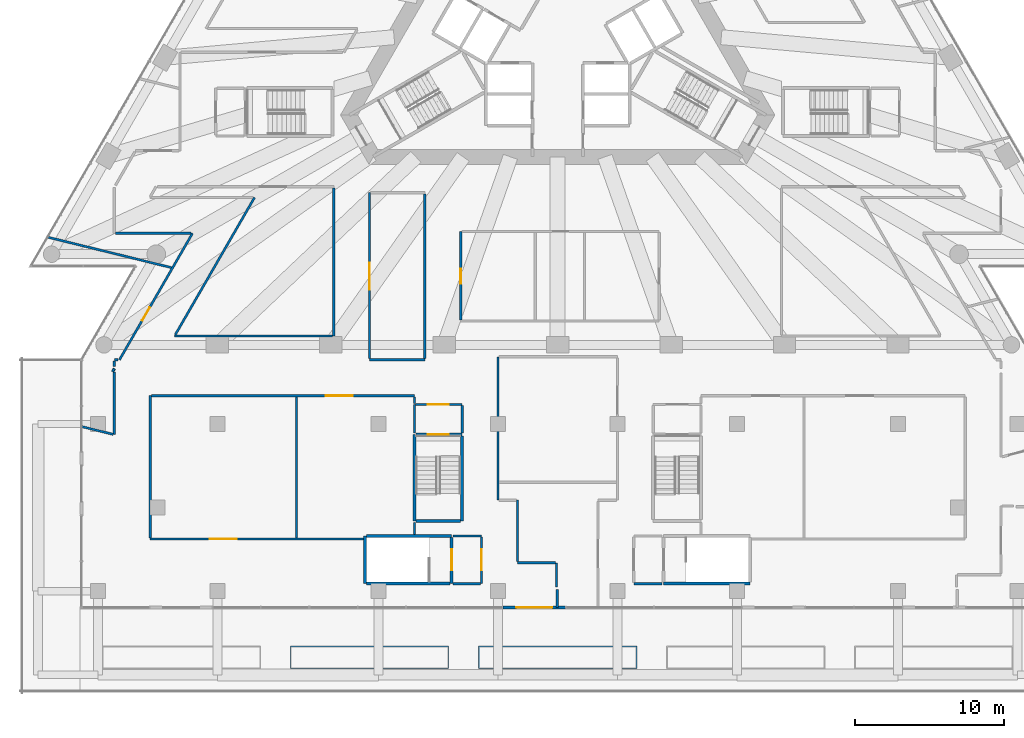
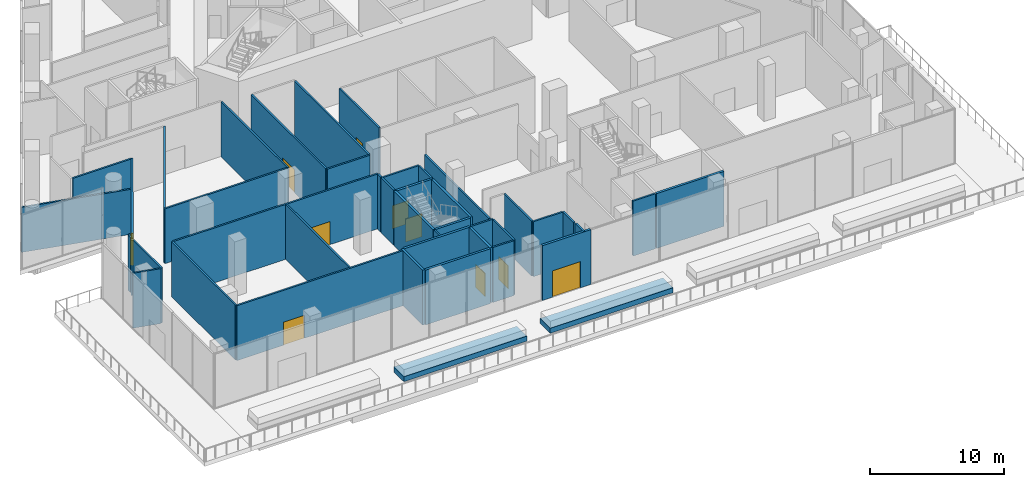
# One storey, part 21 of 32: 45 walls, 10 doors, 10 openings.
"""IFC4 building model written with IfcOpenShell, lengths in metres."""

from ifc_helpers import new_model, si_unit, direction, frame, frame_2d, origin, place, context, subcontext, project, spatial, rectangle, extrude, material, layer, layer_set, layer_usage, type_object, element, fill, save


model = new_model("IFC4")

# Units and contexts
model_context = context("Model", 3, precision=1e-05, world=origin(), true_north=direction((0.0, 1.0)))
body_context = subcontext(model_context, "Body", "Model", "MODEL_VIEW")
ifc_project = project(units=[si_unit("LENGTHUNIT", "METRE"), si_unit("AREAUNIT", "SQUARE_METRE"), si_unit("VOLUMEUNIT", "CUBIC_METRE"), si_unit("PLANEANGLEUNIT", "RADIAN"), si_unit("MASSUNIT", "GRAM", prefix="KILO")], contexts=[model_context])

# Site, building, storey
site_placement = place(None, origin())
site = spatial("IfcSite", under=ifc_project, at=site_placement, CompositionType="ELEMENT")
building_placement = place(site_placement, origin())
building = spatial("IfcBuilding", under=site, at=building_placement, Name="Triada Interchange Tower", CompositionType="ELEMENT")
storey_placement = place(building_placement, frame((0.0, 0.0, 14.5)))
storey = spatial("IfcBuildingStorey", under=building, at=storey_placement, Name="L02", CompositionType="ELEMENT", Elevation=14.5)

# Walls
ifc_material_1 = material(Name="Concrete C30/37", Category="concrete")
ifc_layer_1 = layer(ifc_material_1, 0.199951171875)
ifc_layer_set_1 = layer_set([ifc_layer_1], Name="CORE WALL 200 REI 240")
wall_type_1 = type_object("IfcWallType", Name="CORE WALL 200 REI 240", PredefinedType="SOLIDWALL", material=ifc_layer_set_1)
wall_1_placement = place(storey_placement, frame((-12.89990234375, -37.60009765625, 0.0), z_axis=(0.0, 0.0, 1.0), x_axis=(0.0, 1.0, 0.0)))
element("IfcWall", 1, at=wall_1_placement, inside=storey, type_object=wall_type_1, Name="Wall L02 197", PredefinedType="SOLIDWALL", context=body_context, shape_type="SweptSolid", body=[
    extrude(rectangle(XDim=3.2001953125, YDim=0.199951171875, at=frame_2d((1.60009765625, 0.0))), origin(), (0.0, 0.0, 1.0), 5.0),
])
wall_2_placement = place(storey_placement, frame((-12.800048828125, -34.39990234375, 0.0), z_axis=(0.0, 0.0, 1.0), x_axis=(1.0, 0.0, 0.0)))
element("IfcWall", 2, at=wall_2_placement, inside=storey, type_object=wall_type_1, Name="Wall L02 198", PredefinedType="SOLIDWALL", context=body_context, shape_type="SweptSolid", body=[
    extrude(rectangle(XDim=5.699951171875, YDim=0.199951171875, at=frame_2d((2.85009765625, 0.0))), origin(), (0.0, 0.0, 1.0), 5.0),
])

# Wall, opening, door
wall_3_placement = place(storey_placement, frame((-7.10009765625, -37.60009765625, 0.0), z_axis=(0.0, 0.0, 1.0), x_axis=(0.0, 1.0, 0.0)))
wall_3 = element("IfcWall", 3, at=wall_3_placement, inside=storey, type_object=wall_type_1, Name="Wall L02 200", PredefinedType="SOLIDWALL", context=body_context, shape_type="SweptSolid", body=[
    extrude(rectangle(XDim=3.10009765625, YDim=0.199951171875, at=frame_2d((1.550048828125, 0.0))), origin(), (0.0, 0.0, 1.0), 5.0),
])
opening_1_placement = place(wall_3_placement, frame((0.89990234375, 0.0, 0.0)))
opening_1 = element("IfcOpeningElement", 4, at=opening_1_placement, cuts=wall_3, Name="Opening D02-11", PredefinedType="OPENING", context=body_context, shape_type="SweptSolid", body=[
    extrude(rectangle(XDim=1.39990234375, YDim=2.10009765625, at=frame_2d((0.699951171875, 1.050048828125))), frame((0.0, 0.10986328125, 0.0), z_axis=(0.0, -1.0, 0.0), x_axis=(1.0, 0.0, 0.0)), (0.0, 0.0, 1.0), 0.219970703125),
])
ifc_material_2 = material(Name="Steel S235 door leaf", Category="steel")
door_type_1 = type_object("IfcDoorType", Name="STAIR DOOR 1400 EI2 90-C5S200", OperationType="DOUBLE_DOOR_SINGLE_SWING", PredefinedType="DOOR", material=ifc_material_2)
door_1_placement = place(opening_1_placement, origin())
door_1 = element("IfcDoor", 5, at=door_1_placement, inside=storey, type_object=door_type_1, Name="Door D02-11 L02", OperationType="DOUBLE_DOOR_SINGLE_SWING", OverallHeight=2.10009765625, OverallWidth=1.39990234375, PredefinedType="DOOR", context=body_context, shape_type="SweptSolid", body=[
    extrude(rectangle(XDim=1.39990234375, YDim=2.10009765625, at=frame_2d((0.699951171875, 1.050048828125))), frame((0.0, 0.02490234375, 0.0), z_axis=(0.0, -1.0, 0.0), x_axis=(1.0, 0.0, 0.0)), (0.0, 0.0, 1.0), 0.050048828125),
])
fill(opening_1, door_1)

# Walls
wall_4_placement = place(storey_placement, frame((-12.800048828125, -37.60009765625, 0.0), z_axis=(0.0, 0.0, 1.0), x_axis=(1.0, 0.0, 0.0)))
element("IfcWall", 6, at=wall_4_placement, inside=storey, type_object=wall_type_1, Name="Wall L02 201", PredefinedType="SOLIDWALL", context=body_context, shape_type="SweptSolid", body=[
    extrude(rectangle(XDim=5.60009765625, YDim=0.199951171875, at=frame_2d((2.800048828125, 0.0))), origin(), (0.0, 0.0, 1.0), 5.0),
])
for number, where, z_axis, x_axis, name in (
    (7, (7.10009765625, -37.60009765625, 0.0), (0.0, 0.0, 1.0), (1.0, 0.0, 0.0), "Wall L02 202"),
    (8, (-9.60009765625, -33.39990234375, 0.0), (0.0, 0.0, 1.0), (0.0, 1.0, 0.0), "Wall L02 203"),
):
    element("IfcWall", number, at=place(storey_placement, frame(where, z_axis=z_axis, x_axis=x_axis)), inside=storey, type_object=wall_type_1, Name=name, PredefinedType="SOLIDWALL", context=body_context, shape_type="SweptSolid", body=[
        extrude(rectangle(XDim=5.7998046875, YDim=0.199951171875, at=frame_2d((2.89990234375, 0.0))), origin(), (0.0, 0.0, 1.0), 5.0),
    ])

# Wall, opening, door
wall_5_placement = place(storey_placement, frame((-9.5, -27.60009765625, 0.0), z_axis=(0.0, 0.0, 1.0), x_axis=(1.0, 0.0, 0.0)))
wall_5 = element("IfcWall", 9, at=wall_5_placement, inside=storey, type_object=wall_type_1, Name="Wall L02 204", PredefinedType="SOLIDWALL", context=body_context, shape_type="SweptSolid", body=[
    extrude(rectangle(XDim=3.10009765625, YDim=0.199951171875, at=frame_2d((1.550048828125, 0.0))), origin(), (0.0, 0.0, 1.0), 5.0),
])
opening_2_placement = place(wall_5_placement, frame((0.800048828125, 0.0, 0.0)))
opening_2 = element("IfcOpeningElement", 10, at=opening_2_placement, cuts=wall_5, Name="Opening D02-21", PredefinedType="OPENING", context=body_context, shape_type="SweptSolid", body=[
    extrude(rectangle(XDim=1.39990234375, YDim=2.10009765625, at=frame_2d((0.699951171875, 1.050048828125))), frame((0.0, 0.10986328125, 0.0), z_axis=(0.0, -1.0, 0.0), x_axis=(1.0, 0.0, 0.0)), (0.0, 0.0, 1.0), 0.219970703125),
])
door_2_placement = place(opening_2_placement, origin())
door_2 = element("IfcDoor", 11, at=door_2_placement, inside=storey, type_object=door_type_1, Name="Door D02-21 L02", OperationType="DOUBLE_DOOR_SINGLE_SWING", OverallHeight=2.10009765625, OverallWidth=1.39990234375, PredefinedType="DOOR", context=body_context, shape_type="SweptSolid", body=[
    extrude(rectangle(XDim=1.39990234375, YDim=2.10009765625, at=frame_2d((0.699951171875, 1.050048828125))), frame((0.0, 0.02490234375, 0.0), z_axis=(0.0, -1.0, 0.0), x_axis=(1.0, 0.0, 0.0)), (0.0, 0.0, 1.0), 0.050048828125),
])
fill(opening_2, door_2)

# Walls
wall_6_placement = place(storey_placement, frame((-6.39990234375, -33.39990234375, 0.0), z_axis=(0.0, 0.0, 1.0), x_axis=(0.0, 1.0, 0.0)))
element("IfcWall", 12, at=wall_6_placement, inside=storey, type_object=wall_type_1, Name="Wall L02 206", PredefinedType="SOLIDWALL", context=body_context, shape_type="SweptSolid", body=[
    extrude(rectangle(XDim=5.699951171875, YDim=0.199951171875, at=frame_2d((2.85009765625, 0.0))), origin(), (0.0, 0.0, 1.0), 5.0),
])
wall_7_placement = place(storey_placement, frame((-9.5, -33.39990234375, 0.0), z_axis=(0.0, 0.0, 1.0), x_axis=(1.0, 0.0, 0.0)))
element("IfcWall", 13, at=wall_7_placement, inside=storey, type_object=wall_type_1, Name="Wall L02 207", PredefinedType="SOLIDWALL", context=body_context, shape_type="SweptSolid", body=[
    extrude(rectangle(XDim=3.0, YDim=0.199951171875, at=frame_2d((1.5, 0.0))), origin(), (0.0, 0.0, 1.0), 5.0),
])

# Wall, opening, door
ifc_material_3 = material(Name="Cement board")
ifc_layer_2 = layer(ifc_material_3, 0.02001953125, Name="Cement board cladding")
ifc_material_4 = material(Name="Sheathing board")
ifc_layer_3 = layer(ifc_material_4, 0.014892578125, Name="Sheathing board")
ifc_material_5 = material(Name="Mineral wool")
ifc_layer_4 = layer(ifc_material_5, 0.14990234375, Name="Mineral wool between steel studs")
ifc_material_6 = material(Name="Gypsum board")
ifc_layer_5 = layer(ifc_material_6, 0.014892578125, Name="Plasterboard lining")
ifc_layer_set_2 = layer_set([ifc_layer_2, ifc_layer_3, ifc_layer_4, ifc_layer_5], Name="External wall 200")
ifc_layer_usage = layer_usage(ifc_layer_set_2, "AXIS2", "POSITIVE", -0.10009765625)
wall_type_2 = type_object("IfcWallType", Name="External wall 200", PredefinedType="ELEMENTEDWALL", material=ifc_layer_set_2)
wall_8_placement = place(storey_placement, frame((-3.675048828125, -39.199951171875, 0.0), z_axis=(0.0, 0.0, 1.0), x_axis=(1.0, 0.0, 0.0)))
wall_8 = element("IfcWall", 14, at=wall_8_placement, inside=storey, type_object=wall_type_2, material=ifc_layer_usage, Name="External wall L02 00.3", PredefinedType="ELEMENTEDWALL", context=body_context, shape_type="SweptSolid", body=[
    extrude(rectangle(XDim=4.199951171875, YDim=0.199951171875, at=frame_2d((2.10009765625, 0.0))), origin(), (0.0, 0.0, 1.0), 5.0),
])
opening_3_placement = place(wall_8_placement, frame((0.89990234375, 0.0, 0.0)))
opening_3 = element("IfcOpeningElement", 15, at=opening_3_placement, cuts=wall_8, Name="Opening DX39", PredefinedType="OPENING", context=body_context, shape_type="SweptSolid", body=[
    extrude(rectangle(XDim=2.39990234375, YDim=2.39990234375, at=frame_2d((1.199951171875, 1.199951171875))), frame((0.0, 0.10986328125, 0.0), z_axis=(0.0, -1.0, 0.0), x_axis=(1.0, 0.0, 0.0)), (0.0, 0.0, 1.0), 0.219970703125),
])
ifc_material_7 = material(Name="Aluminium and glass", Category="aluminium")
door_type_2 = type_object("IfcDoorType", Name="Terrace door double", OperationType="DOUBLE_DOOR_SINGLE_SWING", PredefinedType="DOOR", material=ifc_material_7)
door_3_placement = place(opening_3_placement, frame((2.39990234375, 0.0, 0.0), z_axis=(0.0, 0.0, 1.0), x_axis=(-1.0, 0.0, 0.0)))
door_3 = element("IfcDoor", 16, at=door_3_placement, inside=storey, type_object=door_type_2, Name="Door DX39 L02", OperationType="DOUBLE_DOOR_SINGLE_SWING", OverallHeight=2.39990234375, OverallWidth=2.39990234375, PredefinedType="DOOR", context=body_context, shape_type="SweptSolid", body=[
    extrude(rectangle(XDim=2.39990234375, YDim=2.39990234375, at=frame_2d((1.199951171875, 1.199951171875))), frame((0.0, 0.02490234375, 0.0), z_axis=(0.0, -1.0, 0.0), x_axis=(1.0, 0.0, 0.0)), (0.0, 0.0, 1.0), 0.050048828125),
])
fill(opening_3, door_3)

# Walls
ifc_material_8 = material(Name="Gypsum board partition")
ifc_layer_6 = layer(ifc_material_8, 0.14990234375)
ifc_layer_set_3 = layer_set([ifc_layer_6], Name="PARTITION 150")
wall_type_3 = type_object("IfcWallType", Name="PARTITION 150", PredefinedType="PARTITIONING", material=ifc_layer_set_3)
wall_9_placement = place(storey_placement, frame((-34.1689453125, -14.382080078125, 0.0), z_axis=(0.0, 0.0, 1.0), x_axis=(0.971037336003, -0.238927796809, 0.0)))
element("IfcWall", 17, at=wall_9_placement, inside=storey, type_object=wall_type_3, Name="Wall L02 19", PredefinedType="PARTITIONING", context=body_context, shape_type="SweptSolid", body=[
    extrude(rectangle(XDim=8.538330078125, YDim=0.14990234375, at=frame_2d((4.26904296875, 0.0))), origin(), (0.0, 0.0, 1.0), 4.10009765625),
])
wall_10_placement = place(storey_placement, frame((-29.820068359375, -23.39990234375, 0.0), z_axis=(0.0, 0.0, 1.0), x_axis=(0.500074377092, 0.865982457891, 0.0)))
element("IfcWall", 18, at=wall_10_placement, inside=storey, type_object=wall_type_3, Name="Wall L02 20", PredefinedType="PARTITIONING", context=body_context, shape_type="SweptSolid", body=[
    extrude(rectangle(XDim=0.240234375, YDim=0.14990234375, at=frame_2d((0.1201171875, 0.0))), origin(), (0.0, 0.0, 1.0), 5.0),
])
wall_11_placement = place(storey_placement, frame((-29.699951171875, -22.60009765625, 0.0), z_axis=(0.0, 0.0, 1.0), x_axis=(1.0, 0.0, 0.0)))
element("IfcWall", 19, at=wall_11_placement, inside=storey, type_object=wall_type_3, Name="Wall L02 23", PredefinedType="PARTITIONING", context=body_context, shape_type="SweptSolid", body=[
    extrude(rectangle(XDim=0.2548828125, YDim=0.14990234375, at=frame_2d((0.12744140625, 0.0))), origin(), (0.0, 0.0, 1.0), 5.0),
])
ifc_layer_7 = layer(ifc_material_8, 0.14990234375)
ifc_layer_set_4 = layer_set([ifc_layer_7], Name="PARTITION 150 EI 180")
wall_type_4 = type_object("IfcWallType", Name="PARTITION 150 EI 180", PredefinedType="PARTITIONING", material=ifc_layer_set_4)
wall_12_placement = place(storey_placement, frame((-9.60009765625, -27.5, 0.0), z_axis=(0.0, 0.0, 1.0), x_axis=(0.0, 1.0, 0.0)))
element("IfcWall", 20, at=wall_12_placement, inside=storey, type_object=wall_type_4, Name="Wall L02 6", PredefinedType="PARTITIONING", context=body_context, shape_type="SweptSolid", body=[
    extrude(rectangle(XDim=1.89990234375, YDim=0.14990234375, at=frame_2d((0.949951171875, 0.0))), origin(), (0.0, 0.0, 1.0), 5.0),
])

# Wall, opening, door
wall_13_placement = place(storey_placement, frame((-9.52490234375, -25.60009765625, 0.0), z_axis=(0.0, 0.0, 1.0), x_axis=(1.0, 0.0, 0.0)))
wall_13 = element("IfcWall", 21, at=wall_13_placement, inside=storey, type_object=wall_type_4, Name="Wall L02 7", PredefinedType="PARTITIONING", context=body_context, shape_type="SweptSolid", body=[
    extrude(rectangle(XDim=3.125, YDim=0.14990234375, at=frame_2d((1.5625, 0.0))), origin(), (0.0, 0.0, 1.0), 5.0),
])
opening_4_placement = place(wall_13_placement, frame((0.824951171875, 0.0, 0.0)))
opening_4 = element("IfcOpeningElement", 22, at=opening_4_placement, cuts=wall_13, Name="Opening D02-22", PredefinedType="OPENING", context=body_context, shape_type="SweptSolid", body=[
    extrude(rectangle(XDim=1.39990234375, YDim=2.10009765625, at=frame_2d((0.699951171875, 1.050048828125))), frame((0.0, 0.0849609375, 0.0), z_axis=(0.0, -1.0, 0.0), x_axis=(1.0, 0.0, 0.0)), (0.0, 0.0, 1.0), 0.169921875),
])
door_4_placement = place(opening_4_placement, origin())
door_4 = element("IfcDoor", 23, at=door_4_placement, inside=storey, type_object=door_type_1, Name="Door D02-22 L02", OperationType="DOUBLE_DOOR_SINGLE_SWING", OverallHeight=2.10009765625, OverallWidth=1.39990234375, PredefinedType="DOOR", context=body_context, shape_type="SweptSolid", body=[
    extrude(rectangle(XDim=1.39990234375, YDim=2.10009765625, at=frame_2d((0.699951171875, 1.050048828125))), frame((0.0, 0.02490234375, 0.0), z_axis=(0.0, -1.0, 0.0), x_axis=(1.0, 0.0, 0.0)), (0.0, 0.0, 1.0), 0.050048828125),
])
fill(opening_4, door_4)

# Walls
wall_14_placement = place(storey_placement, frame((-6.39990234375, -27.5, 0.0), z_axis=(0.0, 0.0, 1.0), x_axis=(0.0, 1.0, 0.0)))
element("IfcWall", 24, at=wall_14_placement, inside=storey, type_object=wall_type_4, Name="Wall L02 9", PredefinedType="PARTITIONING", context=body_context, shape_type="SweptSolid", body=[
    extrude(rectangle(XDim=1.824951171875, YDim=0.14990234375, at=frame_2d((0.91259765625, 0.0))), origin(), (0.0, 0.0, 1.0), 5.0),
])
wall_15_placement = place(storey_placement, frame((-7.0, -34.39990234375, 0.0), z_axis=(0.0, 0.0, 1.0), x_axis=(1.0, 0.0, 0.0)))
element("IfcWall", 25, at=wall_15_placement, inside=storey, type_object=wall_type_4, Name="Wall L02 10", PredefinedType="PARTITIONING", context=body_context, shape_type="SweptSolid", body=[
    extrude(rectangle(XDim=1.89990234375, YDim=0.14990234375, at=frame_2d((0.949951171875, 0.0))), origin(), (0.0, 0.0, 1.0), 5.0),
])

# Wall, opening, door
wall_16_placement = place(storey_placement, frame((-5.10009765625, -37.60009765625, 0.0), z_axis=(0.0, 0.0, 1.0), x_axis=(0.0, 1.0, 0.0)))
wall_16 = element("IfcWall", 26, at=wall_16_placement, inside=storey, type_object=wall_type_4, Name="Wall L02 12", PredefinedType="PARTITIONING", context=body_context, shape_type="SweptSolid", body=[
    extrude(rectangle(XDim=3.125, YDim=0.14990234375, at=frame_2d((1.5625, 0.0))), origin(), (0.0, 0.0, 1.0), 5.0),
])
opening_5_placement = place(wall_16_placement, frame((0.89990234375, 0.0, 0.0)))
opening_5 = element("IfcOpeningElement", 27, at=opening_5_placement, cuts=wall_16, Name="Opening D02-12", PredefinedType="OPENING", context=body_context, shape_type="SweptSolid", body=[
    extrude(rectangle(XDim=1.39990234375, YDim=2.10009765625, at=frame_2d((0.699951171875, 1.050048828125))), frame((0.0, 0.0849609375, 0.0), z_axis=(0.0, -1.0, 0.0), x_axis=(1.0, 0.0, 0.0)), (0.0, 0.0, 1.0), 0.169921875),
])
door_5_placement = place(opening_5_placement, origin())
door_5 = element("IfcDoor", 28, at=door_5_placement, inside=storey, type_object=door_type_1, Name="Door D02-12 L02", OperationType="DOUBLE_DOOR_SINGLE_SWING", OverallHeight=2.10009765625, OverallWidth=1.39990234375, PredefinedType="DOOR", context=body_context, shape_type="SweptSolid", body=[
    extrude(rectangle(XDim=1.39990234375, YDim=2.10009765625, at=frame_2d((0.699951171875, 1.050048828125))), frame((0.0, 0.02490234375, 0.0), z_axis=(0.0, -1.0, 0.0), x_axis=(1.0, 0.0, 0.0)), (0.0, 0.0, 1.0), 0.050048828125),
])
fill(opening_5, door_5)

# Walls
wall_17_placement = place(storey_placement, frame((-7.0, -37.60009765625, 0.0), z_axis=(0.0, 0.0, 1.0), x_axis=(1.0, 0.0, 0.0)))
element("IfcWall", 29, at=wall_17_placement, inside=storey, type_object=wall_type_4, Name="Wall L02 13", PredefinedType="PARTITIONING", context=body_context, shape_type="SweptSolid", body=[
    extrude(rectangle(XDim=1.824951171875, YDim=0.14990234375, at=frame_2d((0.91259765625, 0.0))), origin(), (0.0, 0.0, 1.0), 5.0),
])
wall_18_placement = place(storey_placement, frame((5.10009765625, -37.60009765625, 0.0), z_axis=(0.0, 0.0, 1.0), x_axis=(1.0, 0.0, 0.0)))
element("IfcWall", 30, at=wall_18_placement, inside=storey, type_object=wall_type_4, Name="Wall L02 14", PredefinedType="PARTITIONING", context=body_context, shape_type="SweptSolid", body=[
    extrude(rectangle(XDim=1.89990234375, YDim=0.14990234375, at=frame_2d((0.949951171875, 0.0))), origin(), (0.0, 0.0, 1.0), 5.0),
])

# Wall, opening, door
ifc_layer_8 = layer(ifc_material_8, 0.14990234375)
ifc_layer_set_5 = layer_set([ifc_layer_8], Name="PARTITION 150 EI 90")
wall_type_5 = type_object("IfcWallType", Name="PARTITION 150 EI 90", PredefinedType="PARTITIONING", material=ifc_layer_set_5)
wall_19_placement = place(storey_placement, frame((-29.35791015625, -22.60009765625, 0.0), z_axis=(0.0, 0.0, 1.0), x_axis=(0.499903869937, 0.866080897389, 0.0)))
wall_19 = element("IfcWall", 31, at=wall_19_placement, inside=storey, type_object=wall_type_5, Name="Wall L02 21", PredefinedType="PARTITIONING", context=body_context, shape_type="SweptSolid", body=[
    extrude(rectangle(XDim=9.78564453125, YDim=0.14990234375, at=frame_2d((4.892822265625, 0.0))), origin(), (0.0, 0.0, 1.0), 5.0),
])
opening_6_placement = place(wall_19_placement, frame((3.055908203125, 0.0, 0.0)))
opening_6 = element("IfcOpeningElement", 32, at=opening_6_placement, cuts=wall_19, Name="Opening D02-43", PredefinedType="OPENING", context=body_context, shape_type="SweptSolid", body=[
    extrude(rectangle(XDim=1.0, YDim=2.10009765625, at=frame_2d((0.5, 1.050048828125))), frame((0.0, 0.0849609375, 0.0), z_axis=(0.0, -1.0, 0.0), x_axis=(1.0, 0.0, 0.0)), (0.0, 0.0, 1.0), 0.169921875),
])
door_type_3 = type_object("IfcDoorType", Name="ROOM DOOR 1000 EI2 45-C5S200", OperationType="NOTDEFINED", PredefinedType="DOOR", material=ifc_material_2)
door_6_placement = place(opening_6_placement, origin())
door_6 = element("IfcDoor", 33, at=door_6_placement, inside=storey, type_object=door_type_3, Name="Door D02-43 L02", OperationType="SINGLE_SWING_LEFT", OverallHeight=2.10009765625, OverallWidth=1.0, PredefinedType="DOOR", context=body_context, shape_type="SweptSolid", body=[
    extrude(rectangle(XDim=1.0, YDim=2.10009765625, at=frame_2d((0.5, 1.050048828125))), frame((0.0, 0.02490234375, 0.0), z_axis=(0.0, -1.0, 0.0), x_axis=(1.0, 0.0, 0.0)), (0.0, 0.0, 1.0), 0.050048828125),
])
fill(opening_6, door_6)

# Walls
wall_20_placement = place(storey_placement, frame((-12.60009765625, -22.60009765625, 0.0), z_axis=(0.0, 0.0, 1.0), x_axis=(1.0, 0.0, 0.0)))
element("IfcWall", 34, at=wall_20_placement, inside=storey, type_object=wall_type_5, Name="Wall L02 24", PredefinedType="PARTITIONING", context=body_context, shape_type="SweptSolid", body=[
    extrude(rectangle(XDim=3.7001953125, YDim=0.14990234375, at=frame_2d((1.85009765625, 0.0))), origin(), (0.0, 0.0, 1.0), 5.0),
])
wall_21_placement = place(storey_placement, frame((-29.699951171875, -27.611083984375, 0.0), z_axis=(0.0, 0.0, 1.0), x_axis=(0.0, 1.0, 0.0)))
element("IfcWall", 35, at=wall_21_placement, inside=storey, type_object=wall_type_5, Name="Wall L02 26", PredefinedType="PARTITIONING", context=body_context, shape_type="SweptSolid", body=[
    extrude(rectangle(XDim=4.211181640625, YDim=0.14990234375, at=frame_2d((2.10546875, 0.0))), origin(), (0.0, 0.0, 1.0), 5.0),
])
wall_22_placement = place(storey_placement, frame((-29.699951171875, -23.0419921875, 0.0), z_axis=(0.0, 0.0, 1.0), x_axis=(0.0, 1.0, 0.0)))
element("IfcWall", 36, at=wall_22_placement, inside=storey, type_object=wall_type_5, Name="Wall L02 27", PredefinedType="PARTITIONING", context=body_context, shape_type="SweptSolid", body=[
    extrude(rectangle(XDim=0.366943359375, YDim=0.14990234375, at=frame_2d((0.18359375, 0.0))), origin(), (0.0, 0.0, 1.0), 5.0),
])
wall_23_placement = place(storey_placement, frame((-31.89990234375, -27.070068359375, 0.0), z_axis=(0.0, 0.0, 1.0), x_axis=(0.971028421066, -0.238964025497, 0.0)))
element("IfcWall", 37, at=wall_23_placement, inside=storey, type_object=wall_type_5, Name="Wall L02 29", PredefinedType="PARTITIONING", context=body_context, shape_type="SweptSolid", body=[
    extrude(rectangle(XDim=2.1884765625, YDim=0.14990234375, at=frame_2d((1.09423828125, 0.0))), origin(), (0.0, 0.0, 1.0), 5.0),
])
wall_24_placement = place(storey_placement, frame((-29.625, -14.125, 0.0), z_axis=(0.0, 0.0, 1.0), x_axis=(1.0, 0.0, 0.0)))
element("IfcWall", 38, at=wall_24_placement, inside=storey, type_object=wall_type_5, Name="Wall L02 38", PredefinedType="PARTITIONING", context=body_context, shape_type="SweptSolid", body=[
    extrude(rectangle(XDim=5.072998046875, YDim=0.14990234375, at=frame_2d((2.53662109375, 0.0))), origin(), (0.0, 0.0, 1.0), 5.0),
])

# Wall, opening, door
wall_25_placement = place(storey_placement, frame((-27.300048828125, -34.60009765625, 0.0), z_axis=(0.0, 0.0, 1.0), x_axis=(1.0, 0.0, 0.0)))
wall_25 = element("IfcWall", 39, at=wall_25_placement, inside=storey, type_object=wall_type_5, Name="Wall L02 48", PredefinedType="PARTITIONING", context=body_context, shape_type="SweptSolid", body=[
    extrude(rectangle(XDim=14.300048828125, YDim=0.14990234375, at=frame_2d((7.14990234375, 0.0))), origin(), (0.0, 0.0, 1.0), 5.0),
])
opening_7_placement = place(wall_25_placement, frame((4.0, 0.0, 0.0)))
opening_7 = element("IfcOpeningElement", 40, at=opening_7_placement, cuts=wall_25, Name="Opening D02-23", PredefinedType="OPENING", context=body_context, shape_type="SweptSolid", body=[
    extrude(rectangle(XDim=1.800048828125, YDim=2.10009765625, at=frame_2d((0.89990234375, 1.050048828125))), frame((0.0, 0.0849609375, 0.0), z_axis=(0.0, -1.0, 0.0), x_axis=(1.0, 0.0, 0.0)), (0.0, 0.0, 1.0), 0.169921875),
])
door_type_4 = type_object("IfcDoorType", Name="SHOP AND HALL ENTRANCE DOOR 1800 EI2 90-C5S200", OperationType="DOUBLE_DOOR_SINGLE_SWING", PredefinedType="DOOR", material=ifc_material_2)
door_7_placement = place(opening_7_placement, origin())
door_7 = element("IfcDoor", 41, at=door_7_placement, inside=storey, type_object=door_type_4, Name="Door D02-23 L02", OperationType="DOUBLE_DOOR_SINGLE_SWING", OverallHeight=2.10009765625, OverallWidth=1.800048828125, PredefinedType="DOOR", context=body_context, shape_type="SweptSolid", body=[
    extrude(rectangle(XDim=1.800048828125, YDim=2.10009765625, at=frame_2d((0.89990234375, 1.050048828125))), frame((0.0, 0.02490234375, 0.0), z_axis=(0.0, -1.0, 0.0), x_axis=(1.0, 0.0, 0.0)), (0.0, 0.0, 1.0), 0.050048828125),
])
fill(opening_7, door_7)

# Walls
wall_26_placement = place(storey_placement, frame((-17.5, -34.52490234375, 0.0), z_axis=(0.0, 0.0, 1.0), x_axis=(0.0, 1.0, 0.0)))
element("IfcWall", 42, at=wall_26_placement, inside=storey, type_object=wall_type_5, Name="Wall L02 50", PredefinedType="PARTITIONING", context=body_context, shape_type="SweptSolid", body=[
    extrude(rectangle(XDim=9.449951171875, YDim=0.14990234375, at=frame_2d((4.72509765625, 0.0))), origin(), (0.0, 0.0, 1.0), 5.0),
])
wall_27_placement = place(storey_placement, frame((-27.300048828125, -34.52490234375, 0.0), z_axis=(0.0, 0.0, 1.0), x_axis=(0.0, 1.0, 0.0)))
element("IfcWall", 43, at=wall_27_placement, inside=storey, type_object=wall_type_5, Name="Wall L02 51", PredefinedType="PARTITIONING", context=body_context, shape_type="SweptSolid", body=[
    extrude(rectangle(XDim=9.52490234375, YDim=0.14990234375, at=frame_2d((4.762451171875, 0.0))), origin(), (0.0, 0.0, 1.0), 5.0),
])

# Wall, opening, door
wall_28_placement = place(storey_placement, frame((-27.22509765625, -25.0, 0.0), z_axis=(0.0, 0.0, 1.0), x_axis=(1.0, 0.0, 0.0)))
wall_28 = element("IfcWall", 44, at=wall_28_placement, inside=storey, type_object=wall_type_5, Name="Wall L02 52", PredefinedType="PARTITIONING", context=body_context, shape_type="SweptSolid", body=[
    extrude(rectangle(XDim=17.625, YDim=0.14990234375, at=frame_2d((8.8125, 0.0))), origin(), (0.0, 0.0, 1.0), 5.0),
])
opening_8_placement = place(wall_28_placement, frame((11.695068359375, 0.0, 0.0)))
opening_8 = element("IfcOpeningElement", 45, at=opening_8_placement, cuts=wall_28, Name="Opening D02-24", PredefinedType="OPENING", context=body_context, shape_type="SweptSolid", body=[
    extrude(rectangle(XDim=1.800048828125, YDim=2.10009765625, at=frame_2d((0.89990234375, 1.050048828125))), frame((0.0, 0.0849609375, 0.0), z_axis=(0.0, -1.0, 0.0), x_axis=(1.0, 0.0, 0.0)), (0.0, 0.0, 1.0), 0.169921875),
])
door_8_placement = place(opening_8_placement, origin())
door_8 = element("IfcDoor", 46, at=door_8_placement, inside=storey, type_object=door_type_4, Name="Door D02-24 L02", OperationType="DOUBLE_DOOR_SINGLE_SWING", OverallHeight=2.10009765625, OverallWidth=1.800048828125, PredefinedType="DOOR", context=body_context, shape_type="SweptSolid", body=[
    extrude(rectangle(XDim=1.800048828125, YDim=2.10009765625, at=frame_2d((0.89990234375, 1.050048828125))), frame((0.0, 0.02490234375, 0.0), z_axis=(0.0, -1.0, 0.0), x_axis=(1.0, 0.0, 0.0)), (0.0, 0.0, 1.0), 0.050048828125),
])
fill(opening_8, door_8)

# Walls
wall_29_placement = place(storey_placement, frame((-9.60009765625, -34.300048828125, 0.0), z_axis=(0.0, 0.0, 1.0), x_axis=(0.0, 1.0, 0.0)))
element("IfcWall", 47, at=wall_29_placement, inside=storey, type_object=wall_type_5, Name="Wall L02 54", PredefinedType="PARTITIONING", context=body_context, shape_type="SweptSolid", body=[
    extrude(rectangle(XDim=0.802001953125, YDim=0.14990234375, at=frame_2d((0.40087890625, 0.0))), origin(), (0.0, 0.0, 1.0), 5.0),
])
wall_30_placement = place(storey_placement, frame((-9.60009765625, -25.527099609375, 0.0), z_axis=(0.0, 0.0, 1.0), x_axis=(0.0, 1.0, 0.0)))
element("IfcWall", 48, at=wall_30_placement, inside=storey, type_object=wall_type_5, Name="Wall L02 55", PredefinedType="PARTITIONING", context=body_context, shape_type="SweptSolid", body=[
    extrude(rectangle(XDim=0.4521484375, YDim=0.14990234375, at=frame_2d((0.22607421875, 0.0))), origin(), (0.0, 0.0, 1.0), 5.0),
])
wall_31_placement = place(storey_placement, frame((-4.0, -32.0, 0.0), z_axis=(0.0, 0.0, 1.0), x_axis=(0.0, 1.0, 0.0)))
element("IfcWall", 49, at=wall_31_placement, inside=storey, type_object=wall_type_5, Name="Wall L02 65", PredefinedType="PARTITIONING", context=body_context, shape_type="SweptSolid", body=[
    extrude(rectangle(XDim=9.60009765625, YDim=0.14990234375, at=frame_2d((4.800048828125, 0.0))), origin(), (0.0, 0.0, 1.0), 3.199951171875),
])
wall_32_placement = place(storey_placement, frame((-0.02490234375, -39.199951171875, 0.0), z_axis=(0.0, 0.0, 1.0), x_axis=(0.0, 1.0, 0.0)))
element("IfcWall", 50, at=wall_32_placement, inside=storey, type_object=wall_type_5, Name="Wall L02 68", PredefinedType="PARTITIONING", context=body_context, shape_type="SweptSolid", body=[
    extrude(rectangle(XDim=1.199951171875, YDim=0.14990234375, at=frame_2d((0.60009765625, 0.0))), origin(), (0.0, 0.0, 1.0), 5.0),
])
wall_33_placement = place(storey_placement, frame((-0.074951171875, -37.821044921875, 0.0), z_axis=(0.0, 0.0, 1.0), x_axis=(0.0, 1.0, 0.0)))
element("IfcWall", 51, at=wall_33_placement, inside=storey, type_object=wall_type_5, Name="Wall L02 69", PredefinedType="PARTITIONING", context=body_context, shape_type="SweptSolid", body=[
    extrude(rectangle(XDim=1.62109375, YDim=0.14990234375, at=frame_2d((0.810546875, 0.0))), origin(), (0.0, 0.0, 1.0), 5.0),
])
wall_34_placement = place(storey_placement, frame((-2.699951171875, -36.199951171875, 0.0), z_axis=(0.0, 0.0, 1.0), x_axis=(1.0, 0.0, 0.0)))
element("IfcWall", 52, at=wall_34_placement, inside=storey, type_object=wall_type_5, Name="Wall L02 70", PredefinedType="PARTITIONING", context=body_context, shape_type="SweptSolid", body=[
    extrude(rectangle(XDim=2.550048828125, YDim=0.14990234375, at=frame_2d((1.27490234375, 0.0))), origin(), (0.0, 0.0, 1.0), 5.0),
])
wall_35_placement = place(storey_placement, frame((-2.699951171875, -36.125, 0.0), z_axis=(0.0, 0.0, 1.0), x_axis=(0.0, 1.0, 0.0)))
element("IfcWall", 53, at=wall_35_placement, inside=storey, type_object=wall_type_5, Name="Wall L02 71", PredefinedType="PARTITIONING", context=body_context, shape_type="SweptSolid", body=[
    extrude(rectangle(XDim=4.125, YDim=0.14990234375, at=frame_2d((2.0625, 0.0))), origin(), (0.0, 0.0, 1.0), 5.0),
])

# Wall, opening, door
wall_36_placement = place(storey_placement, frame((-6.5, -19.925048828125, 0.0), z_axis=(0.0, 0.0, 1.0), x_axis=(0.0, 1.0, 0.0)))
wall_36 = element("IfcWall", 54, at=wall_36_placement, inside=storey, type_object=wall_type_5, Name="Wall L02 76", PredefinedType="PARTITIONING", context=body_context, shape_type="SweptSolid", body=[
    extrude(rectangle(XDim=5.925048828125, YDim=0.14990234375, at=frame_2d((2.96240234375, 0.0))), origin(), (0.0, 0.0, 1.0), 5.0),
])
opening_9_placement = place(wall_36_placement, frame((2.425048828125, 0.0, 0.0)))
opening_9 = element("IfcOpeningElement", 55, at=opening_9_placement, cuts=wall_36, Name="Opening D02-29", PredefinedType="OPENING", context=body_context, shape_type="SweptSolid", body=[
    extrude(rectangle(XDim=1.0, YDim=2.10009765625, at=frame_2d((0.5, 1.050048828125))), frame((0.0, 0.0849609375, 0.0), z_axis=(0.0, -1.0, 0.0), x_axis=(1.0, 0.0, 0.0)), (0.0, 0.0, 1.0), 0.169921875),
])
door_9_placement = place(opening_9_placement, origin())
door_9 = element("IfcDoor", 56, at=door_9_placement, inside=storey, type_object=door_type_3, Name="Door D02-29 L02", OperationType="SINGLE_SWING_LEFT", OverallHeight=2.10009765625, OverallWidth=1.0, PredefinedType="DOOR", context=body_context, shape_type="SweptSolid", body=[
    extrude(rectangle(XDim=1.0, YDim=2.10009765625, at=frame_2d((0.5, 1.050048828125))), frame((0.0, 0.02490234375, 0.0), z_axis=(0.0, -1.0, 0.0), x_axis=(1.0, 0.0, 0.0)), (0.0, 0.0, 1.0), 0.050048828125),
])
fill(opening_9, door_9)

# Walls
wall_37_placement = place(storey_placement, frame((-15.0, -21.0, 0.0), z_axis=(0.0, 0.0, 1.0), x_axis=(0.0, 1.0, 0.0)))
element("IfcWall", 57, at=wall_37_placement, inside=storey, type_object=wall_type_5, Name="Wall L02 116", PredefinedType="PARTITIONING", context=body_context, shape_type="SweptSolid", body=[
    extrude(rectangle(XDim=9.925048828125, YDim=0.14990234375, at=frame_2d((4.96240234375, 0.0))), origin(), (0.0, 0.0, 1.0), 5.0),
])
wall_38_placement = place(storey_placement, frame((-25.6630859375, -21.0, 0.0), z_axis=(0.0, 0.0, 1.0), x_axis=(1.0, 0.0, 0.0)))
element("IfcWall", 58, at=wall_38_placement, inside=storey, type_object=wall_type_5, Name="Wall L02 117", PredefinedType="PARTITIONING", context=body_context, shape_type="SweptSolid", body=[
    extrude(rectangle(XDim=10.588134765625, YDim=0.14990234375, at=frame_2d((5.2939453125, 0.0))), origin(), (0.0, 0.0, 1.0), 5.0),
])
wall_39_placement = place(storey_placement, frame((-25.6201171875, -20.925048828125, 0.0), z_axis=(0.0, 0.0, 1.0), x_axis=(0.499960523757, 0.866048194205, 0.0)))
element("IfcWall", 59, at=wall_39_placement, inside=storey, type_object=wall_type_5, Name="Wall L02 119", PredefinedType="PARTITIONING", context=body_context, shape_type="SweptSolid", body=[
    extrude(rectangle(XDim=10.622802734375, YDim=0.14990234375, at=frame_2d((5.3115234375, 0.0))), origin(), (0.0, 0.0, 1.0), 5.0),
])

# Wall, opening, door
wall_40_placement = place(storey_placement, frame((-12.60009765625, -22.52490234375, 0.0), z_axis=(0.0, 0.0, 1.0), x_axis=(0.0, 1.0, 0.0)))
wall_40 = element("IfcWall", 60, at=wall_40_placement, inside=storey, type_object=wall_type_5, Name="Wall L02 127", PredefinedType="PARTITIONING", context=body_context, shape_type="SweptSolid", body=[
    extrude(rectangle(XDim=11.125, YDim=0.14990234375, at=frame_2d((5.5625, 0.0))), origin(), (0.0, 0.0, 1.0), 5.0),
])
opening_10_placement = place(wall_40_placement, frame((4.625, 0.0, 0.0)))
opening_10 = element("IfcOpeningElement", 61, at=opening_10_placement, cuts=wall_40, Name="Opening D02-37", PredefinedType="OPENING", context=body_context, shape_type="SweptSolid", body=[
    extrude(rectangle(XDim=1.800048828125, YDim=2.10009765625, at=frame_2d((0.89990234375, 1.050048828125))), frame((0.0, 0.0849609375, 0.0), z_axis=(0.0, -1.0, 0.0), x_axis=(1.0, 0.0, 0.0)), (0.0, 0.0, 1.0), 0.169921875),
])
door_10_placement = place(opening_10_placement, origin())
door_10 = element("IfcDoor", 62, at=door_10_placement, inside=storey, type_object=door_type_4, Name="Door D02-37 L02", OperationType="DOUBLE_DOOR_SINGLE_SWING", OverallHeight=2.10009765625, OverallWidth=1.800048828125, PredefinedType="DOOR", context=body_context, shape_type="SweptSolid", body=[
    extrude(rectangle(XDim=1.800048828125, YDim=2.10009765625, at=frame_2d((0.89990234375, 1.050048828125))), frame((0.0, 0.02490234375, 0.0), z_axis=(0.0, -1.0, 0.0), x_axis=(1.0, 0.0, 0.0)), (0.0, 0.0, 1.0), 0.050048828125),
])
fill(opening_10, door_10)

# Walls
wall_41_placement = place(storey_placement, frame((-8.89990234375, -22.52490234375, 0.0), z_axis=(0.0, 0.0, 1.0), x_axis=(0.0, 1.0, 0.0)))
element("IfcWall", 63, at=wall_41_placement, inside=storey, type_object=wall_type_5, Name="Wall L02 129", PredefinedType="PARTITIONING", context=body_context, shape_type="SweptSolid", body=[
    extrude(rectangle(XDim=11.0498046875, YDim=0.14990234375, at=frame_2d((5.52490234375, 0.0))), origin(), (0.0, 0.0, 1.0), 5.0),
])
ifc_layer_9 = layer(ifc_material_1, 1.5)
ifc_layer_set_6 = layer_set([ifc_layer_9], Name="Planter bed 450")
wall_type_6 = type_object("IfcWallType", Name="Planter bed 450", PredefinedType="STANDARD", material=ifc_layer_set_6)
wall_42_placement = place(storey_placement, frame((-17.89990234375, -42.530029296875, 0.0), z_axis=(0.0, 0.0, 1.0), x_axis=(1.0, 0.0, 0.0)))
element("IfcWall", 64, at=wall_42_placement, inside=storey, type_object=wall_type_6, Name="PLANTER L02 08", PredefinedType="STANDARD", context=body_context, shape_type="SweptSolid", body=[
    extrude(rectangle(XDim=10.599853515625, YDim=1.5, at=frame_2d((5.2998046875, 0.0))), origin(), (0.0, 0.0, 1.0), 0.449951171875),
])
wall_43_placement = place(storey_placement, frame((-5.300048828125, -42.530029296875, 0.0), z_axis=(0.0, 0.0, 1.0), x_axis=(1.0, 0.0, 0.0)))
element("IfcWall", 65, at=wall_43_placement, inside=storey, type_object=wall_type_6, Name="PLANTER L02 09", PredefinedType="STANDARD", context=body_context, shape_type="SweptSolid", body=[
    extrude(rectangle(XDim=10.60009765625, YDim=1.5, at=frame_2d((5.300048828125, 0.0))), origin(), (0.0, 0.0, 1.0), 0.449951171875),
])

save(model, "model.ifc")
